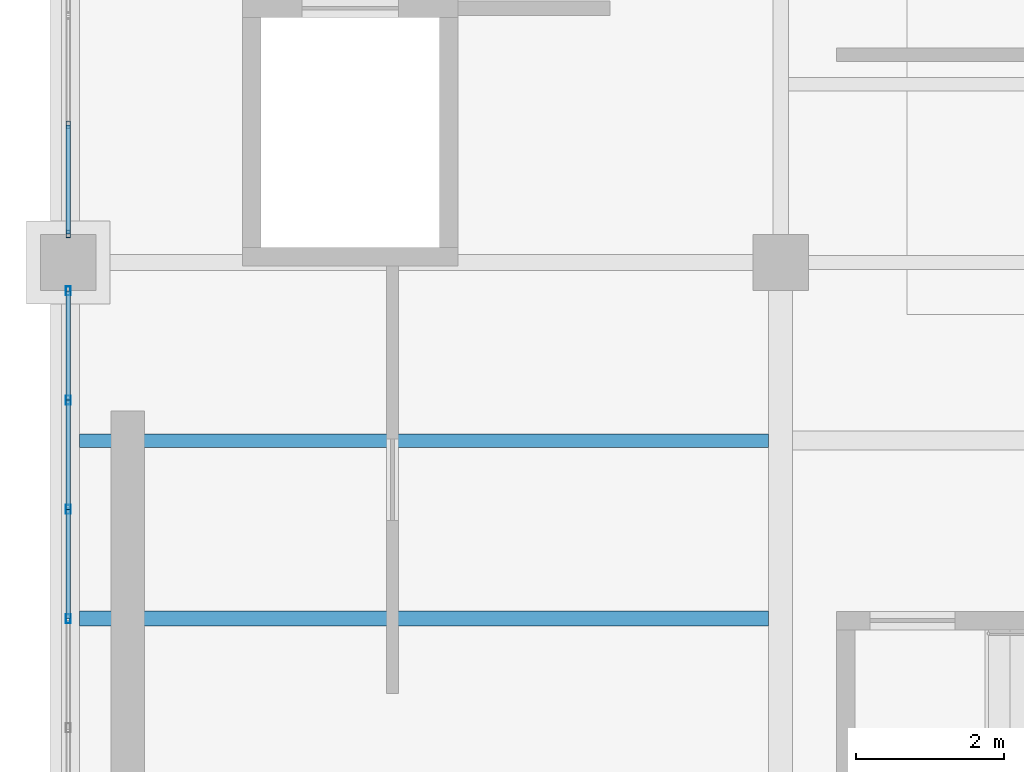
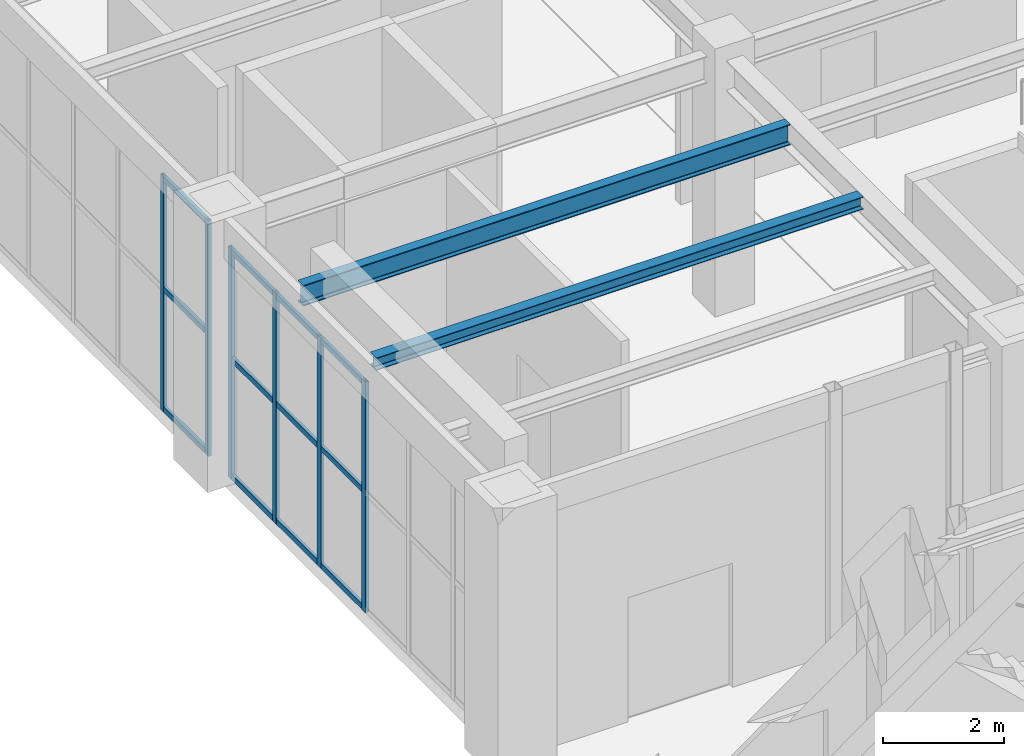
# One storey, part 61 of 164: 18 members, 2 beams, 2 elements without a shape of their own.
"""IFC4 building model written with IfcOpenShell, lengths in metres."""

from ifc_helpers import new_model, si_unit, direction, frame, origin, origin_2d, place, context, subcontext, project, spatial, hollow_rectangle, i_section, extrude, material, material_profile, profile_set, type_object, element, aggregate, save


model = new_model("IFC4")

# Units and contexts
model_context = context("Model", 3, precision=1e-05, world=origin(), true_north=direction((0.0, 1.0)))
body_context = subcontext(model_context, "Body", "Model", "MODEL_VIEW")
ifc_project = project(units=[si_unit("LENGTHUNIT", "METRE"), si_unit("AREAUNIT", "SQUARE_METRE"), si_unit("VOLUMEUNIT", "CUBIC_METRE"), si_unit("PLANEANGLEUNIT", "RADIAN"), si_unit("MASSUNIT", "GRAM", prefix="KILO")], contexts=[model_context])

# Site, building, storey
site_placement = place(None, origin())
site = spatial("IfcSite", under=ifc_project, at=site_placement, CompositionType="ELEMENT")
building_placement = place(site_placement, origin())
building = spatial("IfcBuilding", under=site, at=building_placement, Name="Mavantir Sound Aquarium", CompositionType="ELEMENT")
storey_placement = place(building_placement, origin())
storey = spatial("IfcBuildingStorey", under=building, at=storey_placement, Name="L00", CompositionType="ELEMENT", Elevation=0.0)

# Beams
ifc_material_1 = material(Name="Structural Steel ASTM A992 Gr50", Category="steel")
ifc_material_profile_1 = material_profile(ifc_material_1, i_section(OverallWidth=0.202880859375, OverallDepth=0.251953125, WebThickness=0.008056640625, FlangeThickness=0.013427734375, FilletRadius=0.011962890625, at=origin_2d()), Name="W250X58")
ifc_profile_set_1 = profile_set([ifc_material_profile_1], Name="Structural Steel ASTM A992 Gr50")
beam_type_1 = type_object("IfcBeamType", Name="BM-W250X58-I", PredefinedType="JOIST", material=ifc_profile_set_1)
beam_1_placement = place(storey_placement, frame((0.152587890625, 88.39990234375, 4.969970703125), z_axis=(1.0, 0.0, 0.0), x_axis=(0.0, 1.0, 0.0)))
element("IfcBeam", 1, at=beam_1_placement, inside=storey, type_object=beam_type_1, Name="L00 secondary floor joist SJ-25 576", PredefinedType="JOIST", context=body_context, shape_type="SweptSolid", body=[
    extrude(i_section(OverallWidth=0.202880859375, OverallDepth=0.251953125, WebThickness=0.008056640625, FlangeThickness=0.013427734375, FilletRadius=0.011962890625, at=origin_2d()), origin(), (0.0, 0.0, 1.0), 9.285400390625),
])
ifc_material_profile_2 = material_profile(ifc_material_1, i_section(OverallWidth=0.180908203125, OverallDepth=0.4169921875, WebThickness=0.010986328125, FlangeThickness=0.018310546875, FilletRadius=0.014892578125, at=origin_2d()), Name="W410X85")
ifc_profile_set_2 = profile_set([ifc_material_profile_2], Name="Structural Steel ASTM A992 Gr50")
beam_type_2 = type_object("IfcBeamType", Name="BM-W410X85-I", PredefinedType="JOIST", material=ifc_profile_set_2)
beam_2_placement = place(storey_placement, frame((0.152587890625, 90.800048828125, 4.887451171875), z_axis=(1.0, 0.0, 0.0), x_axis=(0.0, 1.0, 0.0)))
element("IfcBeam", 2, at=beam_2_placement, inside=storey, type_object=beam_type_2, Name="L00 secondary floor joist SJ-41 577", PredefinedType="JOIST", context=body_context, shape_type="SweptSolid", body=[
    extrude(i_section(OverallWidth=0.180908203125, OverallDepth=0.4169921875, WebThickness=0.010986328125, FlangeThickness=0.018310546875, FilletRadius=0.014892578125, at=origin_2d()), origin(), (0.0, 0.0, 1.0), 9.285400390625),
])

# Curtain wall, members
ifc_material_2 = material(Name="Anodised Marine Aluminium and Low-E Glass", Category="aluminium")
curtain_wall_type_1 = type_object("IfcCurtainWallType", Name="CW-T21", PredefinedType="USERDEFINED", material=ifc_material_2)
curtain_wall_1_placement = place(storey_placement, origin())
curtain_wall_1 = element("IfcCurtainWall", 3, at=curtain_wall_1_placement, inside=storey, type_object=curtain_wall_type_1, Name="L00 unitised curtain wall CW-21 45", ObjectType="UNITISED GLAZING", PredefinedType="USERDEFINED")
ifc_material_3 = material(Name="Anodised Marine Aluminium 6063-T6", Category="aluminium")
ifc_material_profile_3 = material_profile(ifc_material_3, hollow_rectangle(XDim=0.06005859375, YDim=0.10009765625, WallThickness=0.00390625, at=origin_2d()), Name="ALU-MULLION-100X60")
ifc_profile_set_3 = profile_set([ifc_material_profile_3], Name="Anodised Marine Aluminium 6063-T6")
member_type_1 = type_object("IfcMemberType", Name="CW-MUL-100", PredefinedType="MULLION", material=ifc_profile_set_3)
member_1_placement = place(storey_placement, frame((0.0, 95.055419921875, 0.0), z_axis=(0.0, 0.0, 1.0), x_axis=(1.0, 0.0, 0.0)))
member_1 = element("IfcMember", 4, at=member_1_placement, type_object=member_type_1, Name="CW-L00-045 vertical mullion 6", PredefinedType="MULLION", context=body_context, shape_type="SweptSolid", body=[
    extrude(hollow_rectangle(XDim=0.06005859375, YDim=0.10009765625, WallThickness=0.00390625, at=origin_2d()), origin(), (0.0, 0.0, 1.0), 4.756103515625),
])
member_2_placement = place(storey_placement, frame((0.0, 93.5830078125, 0.0), z_axis=(0.0, 0.0, 1.0), x_axis=(1.0, 0.0, 0.0)))
member_2 = element("IfcMember", 5, at=member_2_placement, type_object=member_type_1, Name="CW-L00-045 vertical mullion 7", PredefinedType="MULLION", context=body_context, shape_type="SweptSolid", body=[
    extrude(hollow_rectangle(XDim=0.06005859375, YDim=0.10009765625, WallThickness=0.00390625, at=origin_2d()), origin(), (0.0, 0.0, 1.0), 4.756103515625),
])

curtain_wall_type_2 = type_object("IfcCurtainWallType", Name="CW-T22", PredefinedType="USERDEFINED", material=ifc_material_2)
curtain_wall_2_placement = place(storey_placement, origin())
curtain_wall_2 = element("IfcCurtainWall", 6, at=curtain_wall_2_placement, inside=storey, type_object=curtain_wall_type_2, Name="L00 unitised curtain wall CW-22 46", ObjectType="UNITISED GLAZING", PredefinedType="USERDEFINED")
ifc_material_profile_4 = material_profile(ifc_material_3, hollow_rectangle(XDim=0.06494140625, YDim=0.1201171875, WallThickness=0.00390625, at=origin_2d()), Name="ALU-MULLION-120X65")
ifc_profile_set_4 = profile_set([ifc_material_profile_4], Name="Anodised Marine Aluminium 6063-T6")
member_type_2 = type_object("IfcMemberType", Name="CW-MUL-120", PredefinedType="MULLION", material=ifc_profile_set_4)
member_3_placement = place(storey_placement, frame((0.0, 92.81689453125, 0.0), z_axis=(0.0, 0.0, 1.0), x_axis=(1.0, 0.0, 0.0)))
member_3 = element("IfcMember", 7, at=member_3_placement, type_object=member_type_2, Name="CW-L00-046 vertical mullion 1", PredefinedType="MULLION", context=body_context, shape_type="SweptSolid", body=[
    extrude(hollow_rectangle(XDim=0.06494140625, YDim=0.1201171875, WallThickness=0.00390625, at=origin_2d()), origin(), (0.0, 0.0, 1.0), 4.64892578125),
])
member_4_placement = place(storey_placement, frame((0.0, 91.3447265625, 0.0), z_axis=(0.0, 0.0, 1.0), x_axis=(1.0, 0.0, 0.0)))
member_4 = element("IfcMember", 8, at=member_4_placement, type_object=member_type_2, Name="CW-L00-046 vertical mullion 2", PredefinedType="MULLION", context=body_context, shape_type="SweptSolid", body=[
    extrude(hollow_rectangle(XDim=0.06494140625, YDim=0.1201171875, WallThickness=0.00390625, at=origin_2d()), origin(), (0.0, 0.0, 1.0), 4.64892578125),
])
member_5_placement = place(storey_placement, frame((0.0, 89.872314453125, 0.0), z_axis=(0.0, 0.0, 1.0), x_axis=(1.0, 0.0, 0.0)))
member_5 = element("IfcMember", 9, at=member_5_placement, type_object=member_type_2, Name="CW-L00-046 vertical mullion 3", PredefinedType="MULLION", context=body_context, shape_type="SweptSolid", body=[
    extrude(hollow_rectangle(XDim=0.06494140625, YDim=0.1201171875, WallThickness=0.00390625, at=origin_2d()), origin(), (0.0, 0.0, 1.0), 4.64892578125),
])
member_6_placement = place(storey_placement, frame((0.0, 88.39990234375, 0.0), z_axis=(0.0, 0.0, 1.0), x_axis=(1.0, 0.0, 0.0)))
member_6 = element("IfcMember", 10, at=member_6_placement, type_object=member_type_2, Name="CW-L00-046 vertical mullion 4", PredefinedType="MULLION", context=body_context, shape_type="SweptSolid", body=[
    extrude(hollow_rectangle(XDim=0.06494140625, YDim=0.1201171875, WallThickness=0.00390625, at=origin_2d()), origin(), (0.0, 0.0, 1.0), 4.64892578125),
])

# Member
ifc_material_profile_5 = material_profile(ifc_material_3, hollow_rectangle(XDim=0.06005859375, YDim=0.110107421875, WallThickness=0.00390625, at=origin_2d()), Name="ALU-TRANSOM-110X60")
ifc_profile_set_5 = profile_set([ifc_material_profile_5], Name="Anodised Marine Aluminium 6063-T6")
member_type_3 = type_object("IfcMemberType", Name="CW-TRN-110", PredefinedType="USERDEFINED", material=ifc_profile_set_5)
member_7_placement = place(storey_placement, frame((0.0, 95.055419921875, 0.054931640625), z_axis=(0.0, -1.0, 0.0), x_axis=(1.0, 0.0, 0.0)))
member_7 = element("IfcMember", 11, at=member_7_placement, type_object=member_type_3, Name="CW-L00-045 transom 6.1", ObjectType="TRANSOM", PredefinedType="USERDEFINED", context=body_context, shape_type="SweptSolid", body=[
    extrude(hollow_rectangle(XDim=0.06005859375, YDim=0.110107421875, WallThickness=0.00390625, at=origin_2d()), origin(), (0.0, 0.0, 1.0), 1.472412109375),
])

member_8_placement = place(storey_placement, frame((0.0, 95.055419921875, 2.47314453125), z_axis=(0.0, -1.0, 0.0), x_axis=(1.0, 0.0, 0.0)))
member_8 = element("IfcMember", 12, at=member_8_placement, type_object=member_type_3, Name="CW-L00-045 transom 6.2", ObjectType="TRANSOM", PredefinedType="USERDEFINED", context=body_context, shape_type="SweptSolid", body=[
    extrude(hollow_rectangle(XDim=0.06005859375, YDim=0.110107421875, WallThickness=0.00390625, at=origin_2d()), origin(), (0.0, 0.0, 1.0), 1.472412109375),
])

member_9_placement = place(storey_placement, frame((0.0, 95.055419921875, 4.700927734375), z_axis=(0.0, -1.0, 0.0), x_axis=(1.0, 0.0, 0.0)))
member_9 = element("IfcMember", 13, at=member_9_placement, type_object=member_type_3, Name="CW-L00-045 transom 6.3", ObjectType="TRANSOM", PredefinedType="USERDEFINED", context=body_context, shape_type="SweptSolid", body=[
    extrude(hollow_rectangle(XDim=0.06005859375, YDim=0.110107421875, WallThickness=0.00390625, at=origin_2d()), origin(), (0.0, 0.0, 1.0), 1.472412109375),
])

aggregate(curtain_wall_1, [member_1, member_2, member_7, member_8, member_9])

member_10_placement = place(storey_placement, frame((0.0, 92.81689453125, 0.054931640625), z_axis=(0.0, -1.0, 0.0), x_axis=(1.0, 0.0, 0.0)))
member_10 = element("IfcMember", 14, at=member_10_placement, type_object=member_type_3, Name="CW-L00-046 transom 1.1", ObjectType="TRANSOM", PredefinedType="USERDEFINED", context=body_context, shape_type="SweptSolid", body=[
    extrude(hollow_rectangle(XDim=0.06005859375, YDim=0.110107421875, WallThickness=0.00390625, at=origin_2d()), origin(), (0.0, 0.0, 1.0), 1.47216796875),
])

member_11_placement = place(storey_placement, frame((0.0, 92.81689453125, 2.41748046875), z_axis=(0.0, -1.0, 0.0), x_axis=(1.0, 0.0, 0.0)))
member_11 = element("IfcMember", 15, at=member_11_placement, type_object=member_type_3, Name="CW-L00-046 transom 1.2", ObjectType="TRANSOM", PredefinedType="USERDEFINED", context=body_context, shape_type="SweptSolid", body=[
    extrude(hollow_rectangle(XDim=0.06005859375, YDim=0.110107421875, WallThickness=0.00390625, at=origin_2d()), origin(), (0.0, 0.0, 1.0), 1.47216796875),
])

member_12_placement = place(storey_placement, frame((0.0, 92.81689453125, 4.593994140625), z_axis=(0.0, -1.0, 0.0), x_axis=(1.0, 0.0, 0.0)))
member_12 = element("IfcMember", 16, at=member_12_placement, type_object=member_type_3, Name="CW-L00-046 transom 1.3", ObjectType="TRANSOM", PredefinedType="USERDEFINED", context=body_context, shape_type="SweptSolid", body=[
    extrude(hollow_rectangle(XDim=0.06005859375, YDim=0.110107421875, WallThickness=0.00390625, at=origin_2d()), origin(), (0.0, 0.0, 1.0), 1.47216796875),
])

member_13_placement = place(storey_placement, frame((0.0, 91.3447265625, 0.054931640625), z_axis=(0.0, -1.0, 0.0), x_axis=(1.0, 0.0, 0.0)))
member_13 = element("IfcMember", 17, at=member_13_placement, type_object=member_type_3, Name="CW-L00-046 transom 2.1", ObjectType="TRANSOM", PredefinedType="USERDEFINED", context=body_context, shape_type="SweptSolid", body=[
    extrude(hollow_rectangle(XDim=0.06005859375, YDim=0.110107421875, WallThickness=0.00390625, at=origin_2d()), origin(), (0.0, 0.0, 1.0), 1.472412109375),
])

member_14_placement = place(storey_placement, frame((0.0, 91.3447265625, 2.41748046875), z_axis=(0.0, -1.0, 0.0), x_axis=(1.0, 0.0, 0.0)))
member_14 = element("IfcMember", 18, at=member_14_placement, type_object=member_type_3, Name="CW-L00-046 transom 2.2", ObjectType="TRANSOM", PredefinedType="USERDEFINED", context=body_context, shape_type="SweptSolid", body=[
    extrude(hollow_rectangle(XDim=0.06005859375, YDim=0.110107421875, WallThickness=0.00390625, at=origin_2d()), origin(), (0.0, 0.0, 1.0), 1.472412109375),
])

member_15_placement = place(storey_placement, frame((0.0, 91.3447265625, 4.593994140625), z_axis=(0.0, -1.0, 0.0), x_axis=(1.0, 0.0, 0.0)))
member_15 = element("IfcMember", 19, at=member_15_placement, type_object=member_type_3, Name="CW-L00-046 transom 2.3", ObjectType="TRANSOM", PredefinedType="USERDEFINED", context=body_context, shape_type="SweptSolid", body=[
    extrude(hollow_rectangle(XDim=0.06005859375, YDim=0.110107421875, WallThickness=0.00390625, at=origin_2d()), origin(), (0.0, 0.0, 1.0), 1.472412109375),
])

member_16_placement = place(storey_placement, frame((0.0, 89.872314453125, 0.054931640625), z_axis=(0.0, -1.0, 0.0), x_axis=(1.0, 0.0, 0.0)))
member_16 = element("IfcMember", 20, at=member_16_placement, type_object=member_type_3, Name="CW-L00-046 transom 3.1", ObjectType="TRANSOM", PredefinedType="USERDEFINED", context=body_context, shape_type="SweptSolid", body=[
    extrude(hollow_rectangle(XDim=0.06005859375, YDim=0.110107421875, WallThickness=0.00390625, at=origin_2d()), origin(), (0.0, 0.0, 1.0), 1.472412109375),
])

member_17_placement = place(storey_placement, frame((0.0, 89.872314453125, 2.41748046875), z_axis=(0.0, -1.0, 0.0), x_axis=(1.0, 0.0, 0.0)))
member_17 = element("IfcMember", 21, at=member_17_placement, type_object=member_type_3, Name="CW-L00-046 transom 3.2", ObjectType="TRANSOM", PredefinedType="USERDEFINED", context=body_context, shape_type="SweptSolid", body=[
    extrude(hollow_rectangle(XDim=0.06005859375, YDim=0.110107421875, WallThickness=0.00390625, at=origin_2d()), origin(), (0.0, 0.0, 1.0), 1.472412109375),
])

member_18_placement = place(storey_placement, frame((0.0, 89.872314453125, 4.593994140625), z_axis=(0.0, -1.0, 0.0), x_axis=(1.0, 0.0, 0.0)))
member_18 = element("IfcMember", 22, at=member_18_placement, type_object=member_type_3, Name="CW-L00-046 transom 3.3", ObjectType="TRANSOM", PredefinedType="USERDEFINED", context=body_context, shape_type="SweptSolid", body=[
    extrude(hollow_rectangle(XDim=0.06005859375, YDim=0.110107421875, WallThickness=0.00390625, at=origin_2d()), origin(), (0.0, 0.0, 1.0), 1.472412109375),
])

aggregate(curtain_wall_2, [member_3, member_4, member_5, member_6, member_10, member_11, member_12, member_13, member_14, member_15, member_16, member_17, member_18])

save(model, "model.ifc")
